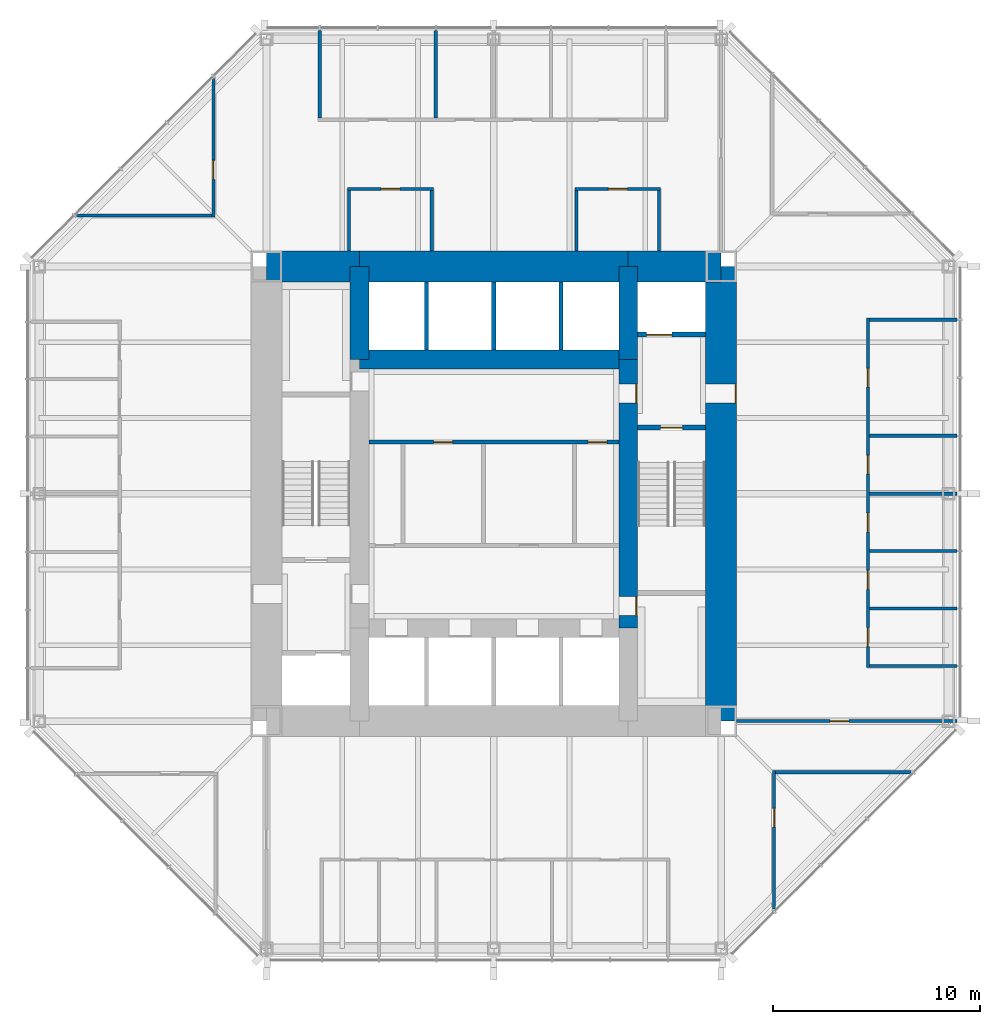
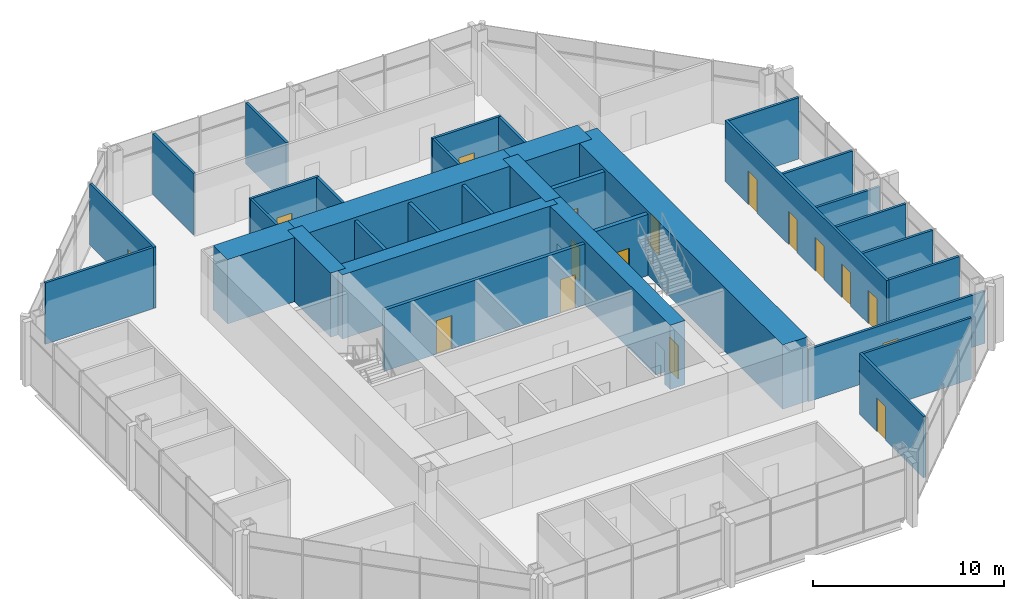
# One storey, part 10 of 12: 34 walls, 17 doors, 17 openings.
"""IFC4 building model written with IfcOpenShell, lengths in metres."""

from ifc_helpers import new_model, si_unit, direction, frame, frame_2d, origin, place, context, subcontext, project, spatial, rectangle, extrude, material, layer, layer_set, type_object, element, fill, save


model = new_model("IFC4")

# Units and contexts
model_context = context("Model", 3, precision=1e-05, world=origin(), true_north=direction((0.0, 1.0)))
body_context = subcontext(model_context, "Body", "Model", "MODEL_VIEW")
ifc_project = project(units=[si_unit("LENGTHUNIT", "METRE"), si_unit("AREAUNIT", "SQUARE_METRE"), si_unit("VOLUMEUNIT", "CUBIC_METRE"), si_unit("PLANEANGLEUNIT", "RADIAN"), si_unit("MASSUNIT", "GRAM", prefix="KILO")], contexts=[model_context])

# Site, building, storey
site_placement = place(None, origin())
site = spatial("IfcSite", under=ifc_project, at=site_placement, CompositionType="ELEMENT")
building_placement = place(site_placement, origin())
building = spatial("IfcBuilding", under=site, at=building_placement, Name="Trevanion Tower", CompositionType="ELEMENT")
storey_placement = place(building_placement, frame((0.0, 0.0, 166.39990234375)))
storey = spatial("IfcBuildingStorey", under=building, at=storey_placement, Name="L39", CompositionType="ELEMENT", Elevation=166.39990234375)

# Wall, opening, door
ifc_material_1 = material(Name="Concrete 10,000 psi", Category="concrete")
ifc_layer_1 = layer(ifc_material_1, 1.5)
ifc_layer_set_1 = layer_set([ifc_layer_1], Name="CW1 core wall 1500")
wall_type_1 = type_object("IfcWallType", Name="CW1 core wall 1500", PredefinedType="SHEAR", material=ifc_layer_set_1)
wall_1_placement = place(storey_placement, frame((11.0, -11.0, 0.0), z_axis=(0.0, 0.0, 1.0), x_axis=(0.0, 1.0, 0.0)))
wall_1 = element("IfcWall", 1, at=wall_1_placement, inside=storey, type_object=wall_type_1, Name="CW1 CE L39", PredefinedType="SHEAR", context=body_context, shape_type="SweptSolid", body=[
    extrude(rectangle(XDim=22.0, YDim=1.5, at=frame_2d((11.0, 0.0))), origin(), (0.0, 0.0, 1.0), 4.10009765625),
])
opening_1_placement = place(wall_1_placement, frame((15.392578125, 0.0, 0.0)))
opening_1 = element("IfcOpeningElement", 2, at=opening_1_placement, cuts=wall_1, Name="Opening 39-001", PredefinedType="OPENING", context=body_context, shape_type="SweptSolid", body=[
    extrude(rectangle(XDim=0.9150390625, YDim=2.134033203125, at=frame_2d((0.45751953125, 1.06689453125))), frame((0.0, 0.760009765625, 0.0), z_axis=(0.0, -1.0, 0.0), x_axis=(1.0, 0.0, 0.0)), (0.0, 0.0, 1.0), 1.52001953125),
])
ifc_material_2 = material(Name="Hollow metal, fire rated", Category="steel")
door_type_1 = type_object("IfcDoorType", Name="D3 fire lift lobby door", OperationType="SINGLE_SWING_RIGHT", PredefinedType="DOOR", material=ifc_material_2)
door_1_placement = place(opening_1_placement, origin())
door_1 = element("IfcDoor", 3, at=door_1_placement, inside=storey, type_object=door_type_1, Name="Door 39-001", OperationType="SINGLE_SWING_RIGHT", OverallHeight=2.134033203125, OverallWidth=0.9150390625, PredefinedType="DOOR", context=body_context, shape_type="SweptSolid", body=[
    extrude(rectangle(XDim=0.9150390625, YDim=2.134033203125, at=frame_2d((0.45751953125, 1.06689453125))), frame((0.0, -0.6748046875, 0.0), z_axis=(0.0, -1.0, 0.0), x_axis=(1.0, 0.0, 0.0)), (0.0, 0.0, 1.0), 0.050048828125),
])
fill(opening_1, door_1)

# Walls
wall_2_placement = place(storey_placement, frame((11.0, 11.0, 0.0), z_axis=(0.0, 0.0, 1.0), x_axis=(-1.0, 0.0, 0.0)))
element("IfcWall", 4, at=wall_2_placement, inside=storey, type_object=wall_type_1, Name="CW1 CN1 L39", PredefinedType="SHEAR", context=body_context, shape_type="SweptSolid", body=[
    extrude(rectangle(XDim=4.5, YDim=1.5, at=frame_2d((2.25, 0.0))), origin(), (0.0, 0.0, 1.0), 4.10009765625),
])
wall_3_placement = place(storey_placement, frame((6.5, 11.0, 0.0), z_axis=(0.0, 0.0, 1.0), x_axis=(-1.0, 0.0, 0.0)))
element("IfcWall", 5, at=wall_3_placement, inside=storey, type_object=wall_type_1, Name="CW1 CN2 L39", PredefinedType="SHEAR", context=body_context, shape_type="SweptSolid", body=[
    extrude(rectangle(XDim=13.0, YDim=1.5, at=frame_2d((6.5, 0.0))), origin(), (0.0, 0.0, 1.0), 4.10009765625),
])
wall_4_placement = place(storey_placement, frame((-6.5, 11.0, 0.0), z_axis=(0.0, 0.0, 1.0), x_axis=(-1.0, 0.0, 0.0)))
element("IfcWall", 6, at=wall_4_placement, inside=storey, type_object=wall_type_1, Name="CW1 CN3 L39", PredefinedType="SHEAR", context=body_context, shape_type="SweptSolid", body=[
    extrude(rectangle(XDim=4.5, YDim=1.5, at=frame_2d((2.25, 0.0))), origin(), (0.0, 0.0, 1.0), 4.10009765625),
])

# Wall, openings, doors
ifc_material_3 = material(Name="Concrete 10,000 psi", Category="concrete")
ifc_layer_2 = layer(ifc_material_3, 0.89990234375)
ifc_layer_set_2 = layer_set([ifc_layer_2], Name="CW2 core wall 900")
wall_type_2 = type_object("IfcWallType", Name="CW2 core wall 900", PredefinedType="SHEAR", material=ifc_layer_set_2)
wall_5_placement = place(storey_placement, frame((6.5, -6.5, 0.0), z_axis=(0.0, 0.0, 1.0), x_axis=(0.0, 1.0, 0.0)))
wall_5 = element("IfcWall", 7, at=wall_5_placement, inside=storey, type_object=wall_type_2, Name="CW2 RE2 L39", PredefinedType="SHEAR", context=body_context, shape_type="SweptSolid", body=[
    extrude(rectangle(XDim=13.0, YDim=0.89990234375, at=frame_2d((6.5, 0.0))), origin(), (0.0, 0.0, 1.0), 4.10009765625),
])
opening_2_placement = place(wall_5_placement, frame((10.892578125, 0.0, 0.0)))
opening_2 = element("IfcOpeningElement", 8, at=opening_2_placement, cuts=wall_5, Name="Opening 39-003", PredefinedType="OPENING", context=body_context, shape_type="SweptSolid", body=[
    extrude(rectangle(XDim=0.9150390625, YDim=2.134033203125, at=frame_2d((0.45751953125, 1.06689453125))), frame((0.0, 0.4599609375, 0.0), z_axis=(0.0, -1.0, 0.0), x_axis=(1.0, 0.0, 0.0)), (0.0, 0.0, 1.0), 0.919921875),
])
opening_3_placement = place(wall_5_placement, frame((0.610107421875, 0.0, 0.0)))
opening_3 = element("IfcOpeningElement", 9, at=opening_3_placement, cuts=wall_5, Name="Opening 39-009", PredefinedType="OPENING", context=body_context, shape_type="SweptSolid", body=[
    extrude(rectangle(XDim=0.9150390625, YDim=2.134033203125, at=frame_2d((0.45751953125, 1.06689453125))), frame((0.0, 0.4599609375, 0.0), z_axis=(0.0, -1.0, 0.0), x_axis=(1.0, 0.0, 0.0)), (0.0, 0.0, 1.0), 0.919921875),
])
door_2_placement = place(opening_2_placement, origin())
door_2 = element("IfcDoor", 10, at=door_2_placement, inside=storey, type_object=door_type_1, Name="Door 39-003", OperationType="SINGLE_SWING_RIGHT", OverallHeight=2.134033203125, OverallWidth=0.9150390625, PredefinedType="DOOR", context=body_context, shape_type="SweptSolid", body=[
    extrude(rectangle(XDim=0.9150390625, YDim=2.134033203125, at=frame_2d((0.45751953125, 1.06689453125))), frame((0.0, -0.375, 0.0), z_axis=(0.0, -1.0, 0.0), x_axis=(1.0, 0.0, 0.0)), (0.0, 0.0, 1.0), 0.050048828125),
])
fill(opening_2, door_2)
ifc_material_4 = material(Name="Hollow metal, fire rated", Category="steel")
door_type_2 = type_object("IfcDoorType", Name="D5 service room door", OperationType="SINGLE_SWING_RIGHT", PredefinedType="DOOR", material=ifc_material_4)
door_3_placement = place(opening_3_placement, origin())
door_3 = element("IfcDoor", 11, at=door_3_placement, inside=storey, type_object=door_type_2, Name="Door 39-009", OperationType="SINGLE_SWING_RIGHT", OverallHeight=2.134033203125, OverallWidth=0.9150390625, PredefinedType="DOOR", context=body_context, shape_type="SweptSolid", body=[
    extrude(rectangle(XDim=0.9150390625, YDim=2.134033203125, at=frame_2d((0.45751953125, 1.06689453125))), frame((0.0, -0.375, 0.0), z_axis=(0.0, -1.0, 0.0), x_axis=(1.0, 0.0, 0.0)), (0.0, 0.0, 1.0), 0.050048828125),
])
fill(opening_3, door_3)

# Walls
for number, where, z_axis, x_axis, name in (
    (12, (6.5, 6.5, 0.0), (0.0, 0.0, 1.0), (0.0, 1.0, 0.0), "CW2 RE3 L39"),
    (13, (-6.5, 11.0, 0.0), (0.0, 0.0, 1.0), (0.0, -1.0, 0.0), "CW2 RW1 L39"),
):
    element("IfcWall", number, at=place(storey_placement, frame(where, z_axis=z_axis, x_axis=x_axis)), inside=storey, type_object=wall_type_2, Name=name, PredefinedType="SHEAR", context=body_context, shape_type="SweptSolid", body=[
        extrude(rectangle(XDim=4.5, YDim=0.89990234375, at=frame_2d((2.25, 0.0))), origin(), (0.0, 0.0, 1.0), 4.10009765625),
    ])
wall_6_placement = place(storey_placement, frame((6.5, 6.5, 0.0), z_axis=(0.0, 0.0, 1.0), x_axis=(-1.0, 0.0, 0.0)))
element("IfcWall", 14, at=wall_6_placement, inside=storey, type_object=wall_type_2, Name="CW2 RN L39", PredefinedType="SHEAR", context=body_context, shape_type="SweptSolid", body=[
    extrude(rectangle(XDim=13.0, YDim=0.89990234375, at=frame_2d((6.5, 0.0))), origin(), (0.0, 0.0, 1.0), 4.10009765625),
])

# Wall, opening, door
ifc_material_5 = material(Name="Gypsum board on steel studs", Category="steel")
ifc_layer_3 = layer(ifc_material_5, 0.14990234375)
ifc_layer_set_3 = layer_set([ifc_layer_3], Name="PT1 partition 150")
wall_type_3 = type_object("IfcWallType", Name="PT1 partition 150", PredefinedType="PARTITIONING", material=ifc_layer_set_3)
wall_7_placement = place(storey_placement, frame((11.75, -11.0, 0.0), z_axis=(0.0, 0.0, 1.0), x_axis=(1.0, 0.0, 0.0)))
wall_7 = element("IfcWall", 15, at=wall_7_placement, inside=storey, type_object=wall_type_3, Name="PT1 L39 ZW3", PredefinedType="PARTITIONING", context=body_context, shape_type="SweptSolid", body=[
    extrude(rectangle(XDim=10.6650390625, YDim=0.14990234375, at=frame_2d((5.33251953125, 0.0))), origin(), (0.0, 0.0, 1.0), 3.325927734375),
])
opening_4_placement = place(wall_7_placement, frame((4.517578125, 0.0, 0.0)))
opening_4 = element("IfcOpeningElement", 16, at=opening_4_placement, cuts=wall_7, Name="Opening 39-021", PredefinedType="OPENING", context=body_context, shape_type="SweptSolid", body=[
    extrude(rectangle(XDim=0.9150390625, YDim=2.134033203125, at=frame_2d((0.45751953125, 1.06689453125))), frame((0.0, 0.0849609375, 0.0), z_axis=(0.0, -1.0, 0.0), x_axis=(1.0, 0.0, 0.0)), (0.0, 0.0, 1.0), 0.169921875),
])
ifc_material_6 = material(Name="Timber veneer, solid core", Category="wood")
door_type_3 = type_object("IfcDoorType", Name="D1 office and meeting room door", OperationType="SINGLE_SWING_LEFT", PredefinedType="DOOR", material=ifc_material_6)
door_4_placement = place(opening_4_placement, origin())
door_4 = element("IfcDoor", 17, at=door_4_placement, inside=storey, type_object=door_type_3, Name="Door 39-021", OperationType="SINGLE_SWING_LEFT", OverallHeight=2.134033203125, OverallWidth=0.9150390625, PredefinedType="DOOR", context=body_context, shape_type="SweptSolid", body=[
    extrude(rectangle(XDim=0.9150390625, YDim=2.134033203125, at=frame_2d((0.45751953125, 1.06689453125))), frame((0.0, 0.02490234375, 0.0), z_axis=(0.0, -1.0, 0.0), x_axis=(1.0, 0.0, 0.0)), (0.0, 0.0, 1.0), 0.050048828125),
])
fill(opening_4, door_4)

wall_8_placement = place(storey_placement, frame((-13.56591796875, 13.39892578125, 0.0), z_axis=(0.0, 0.0, 1.0), x_axis=(0.0, 1.0, 0.0)))
wall_8 = element("IfcWall", 18, at=wall_8_placement, inside=storey, type_object=wall_type_3, Name="PT1 L39 KW1a", PredefinedType="PARTITIONING", context=body_context, shape_type="SweptSolid", body=[
    extrude(rectangle(XDim=6.697998046875, YDim=0.14990234375, at=frame_2d((3.34912109375, 0.0))), origin(), (0.0, 0.0, 1.0), 3.91015625),
])
opening_5_placement = place(wall_8_placement, frame((1.8173828125, 0.0, 0.0)))
opening_5 = element("IfcOpeningElement", 19, at=opening_5_placement, cuts=wall_8, Name="Opening 39-023", PredefinedType="OPENING", context=body_context, shape_type="SweptSolid", body=[
    extrude(rectangle(XDim=0.9150390625, YDim=2.134033203125, at=frame_2d((0.45751953125, 1.06689453125))), frame((0.0, 0.0849609375, 0.0), z_axis=(0.0, -1.0, 0.0), x_axis=(1.0, 0.0, 0.0)), (0.0, 0.0, 1.0), 0.169921875),
])
door_5_placement = place(opening_5_placement, origin())
door_5 = element("IfcDoor", 20, at=door_5_placement, inside=storey, type_object=door_type_3, Name="Door 39-023", OperationType="SINGLE_SWING_LEFT", OverallHeight=2.134033203125, OverallWidth=0.9150390625, PredefinedType="DOOR", context=body_context, shape_type="SweptSolid", body=[
    extrude(rectangle(XDim=0.9150390625, YDim=2.134033203125, at=frame_2d((0.45751953125, 1.06689453125))), frame((0.0, 0.02490234375, 0.0), z_axis=(0.0, -1.0, 0.0), x_axis=(1.0, 0.0, 0.0)), (0.0, 0.0, 1.0), 0.050048828125),
])
fill(opening_5, door_5)

# Wall
wall_9_placement = place(storey_placement, frame((-13.64111328125, 13.47412109375, 0.0), z_axis=(0.0, 0.0, 1.0), x_axis=(-1.0, 0.0, 0.0)))
element("IfcWall", 21, at=wall_9_placement, inside=storey, type_object=wall_type_3, Name="PT1 L39 KW1b", PredefinedType="PARTITIONING", context=body_context, shape_type="SweptSolid", body=[
    extrude(rectangle(XDim=6.5478515625, YDim=0.14990234375, at=frame_2d((3.27392578125, 0.0))), origin(), (0.0, 0.0, 1.0), 3.91015625),
])

# Wall, opening, door
wall_10_placement = place(storey_placement, frame((13.56591796875, -13.39892578125, 0.0), z_axis=(0.0, 0.0, 1.0), x_axis=(0.0, -1.0, 0.0)))
wall_10 = element("IfcWall", 22, at=wall_10_placement, inside=storey, type_object=wall_type_3, Name="PT1 L39 KW3a", PredefinedType="PARTITIONING", context=body_context, shape_type="SweptSolid", body=[
    extrude(rectangle(XDim=6.697998046875, YDim=0.14990234375, at=frame_2d((3.34912109375, 0.0))), origin(), (0.0, 0.0, 1.0), 3.91015625),
])
opening_6_placement = place(wall_10_placement, frame((1.8173828125, 0.0, 0.0)))
opening_6 = element("IfcOpeningElement", 23, at=opening_6_placement, cuts=wall_10, Name="Opening 39-025", PredefinedType="OPENING", context=body_context, shape_type="SweptSolid", body=[
    extrude(rectangle(XDim=0.9150390625, YDim=2.134033203125, at=frame_2d((0.45751953125, 1.06689453125))), frame((0.0, 0.0849609375, 0.0), z_axis=(0.0, -1.0, 0.0), x_axis=(1.0, 0.0, 0.0)), (0.0, 0.0, 1.0), 0.169921875),
])
door_6_placement = place(opening_6_placement, origin())
door_6 = element("IfcDoor", 24, at=door_6_placement, inside=storey, type_object=door_type_3, Name="Door 39-025", OperationType="SINGLE_SWING_LEFT", OverallHeight=2.134033203125, OverallWidth=0.9150390625, PredefinedType="DOOR", context=body_context, shape_type="SweptSolid", body=[
    extrude(rectangle(XDim=0.9150390625, YDim=2.134033203125, at=frame_2d((0.45751953125, 1.06689453125))), frame((0.0, 0.02490234375, 0.0), z_axis=(0.0, -1.0, 0.0), x_axis=(1.0, 0.0, 0.0)), (0.0, 0.0, 1.0), 0.050048828125),
])
fill(opening_6, door_6)

# Wall
wall_11_placement = place(storey_placement, frame((13.64111328125, -13.47412109375, 0.0), z_axis=(0.0, 0.0, 1.0), x_axis=(1.0, 0.0, 0.0)))
element("IfcWall", 25, at=wall_11_placement, inside=storey, type_object=wall_type_3, Name="PT1 L39 KW3b", PredefinedType="PARTITIONING", context=body_context, shape_type="SweptSolid", body=[
    extrude(rectangle(XDim=6.5478515625, YDim=0.14990234375, at=frame_2d((3.27392578125, 0.0))), origin(), (0.0, 0.0, 1.0), 3.91015625),
])

# Wall, openings, doors
wall_12_placement = place(storey_placement, frame((18.10009765625, -8.39794921875, 0.0), z_axis=(0.0, 0.0, 1.0), x_axis=(0.0, 1.0, 0.0)))
wall_12 = element("IfcWall", 26, at=wall_12_placement, inside=storey, type_object=wall_type_3, Name="PT1 L39 FC0F", PredefinedType="PARTITIONING", context=body_context, shape_type="SweptSolid", body=[
    extrude(rectangle(XDim=16.89404296875, YDim=0.14990234375, at=frame_2d((8.447021484375, 0.0))), origin(), (0.0, 0.0, 1.0), 3.91015625),
])
opening_7_placement = place(wall_12_placement, frame((1.00439453125, 0.0, 0.0)))
opening_7 = element("IfcOpeningElement", 27, at=opening_7_placement, cuts=wall_12, Name="Opening 39-026", PredefinedType="OPENING", context=body_context, shape_type="SweptSolid", body=[
    extrude(rectangle(XDim=0.9150390625, YDim=2.134033203125, at=frame_2d((0.45751953125, 1.06689453125))), frame((0.0, 0.0849609375, 0.0), z_axis=(0.0, -1.0, 0.0), x_axis=(1.0, 0.0, 0.0)), (0.0, 0.0, 1.0), 0.169921875),
])
opening_8_placement = place(wall_12_placement, frame((3.778564453125, 0.0, 0.0)))
opening_8 = element("IfcOpeningElement", 28, at=opening_8_placement, cuts=wall_12, Name="Opening 39-027", PredefinedType="OPENING", context=body_context, shape_type="SweptSolid", body=[
    extrude(rectangle(XDim=0.9150390625, YDim=2.134033203125, at=frame_2d((0.45751953125, 1.06689453125))), frame((0.0, 0.0849609375, 0.0), z_axis=(0.0, -1.0, 0.0), x_axis=(1.0, 0.0, 0.0)), (0.0, 0.0, 1.0), 0.169921875),
])
opening_9_placement = place(wall_12_placement, frame((6.552978515625, 0.0, 0.0)))
opening_9 = element("IfcOpeningElement", 29, at=opening_9_placement, cuts=wall_12, Name="Opening 39-028", PredefinedType="OPENING", context=body_context, shape_type="SweptSolid", body=[
    extrude(rectangle(XDim=0.9150390625, YDim=2.134033203125, at=frame_2d((0.45751953125, 1.06689453125))), frame((0.0, 0.0849609375, 0.0), z_axis=(0.0, -1.0, 0.0), x_axis=(1.0, 0.0, 0.0)), (0.0, 0.0, 1.0), 0.169921875),
])
opening_10_placement = place(wall_12_placement, frame((9.343994140625, 0.0, 0.0)))
opening_10 = element("IfcOpeningElement", 30, at=opening_10_placement, cuts=wall_12, Name="Opening 39-029", PredefinedType="OPENING", context=body_context, shape_type="SweptSolid", body=[
    extrude(rectangle(XDim=0.9150390625, YDim=2.134033203125, at=frame_2d((0.45751953125, 1.06689453125))), frame((0.0, 0.0849609375, 0.0), z_axis=(0.0, -1.0, 0.0), x_axis=(1.0, 0.0, 0.0)), (0.0, 0.0, 1.0), 0.169921875),
])
opening_11_placement = place(wall_12_placement, frame((13.554443359375, 0.0, 0.0)))
opening_11 = element("IfcOpeningElement", 31, at=opening_11_placement, cuts=wall_12, Name="Opening 39-030", PredefinedType="OPENING", context=body_context, shape_type="SweptSolid", body=[
    extrude(rectangle(XDim=0.9150390625, YDim=2.134033203125, at=frame_2d((0.45751953125, 1.06689453125))), frame((0.0, 0.0849609375, 0.0), z_axis=(0.0, -1.0, 0.0), x_axis=(1.0, 0.0, 0.0)), (0.0, 0.0, 1.0), 0.169921875),
])
door_7_placement = place(opening_7_placement, origin())
door_7 = element("IfcDoor", 32, at=door_7_placement, inside=storey, type_object=door_type_3, Name="Door 39-026", OperationType="SINGLE_SWING_LEFT", OverallHeight=2.134033203125, OverallWidth=0.9150390625, PredefinedType="DOOR", context=body_context, shape_type="SweptSolid", body=[
    extrude(rectangle(XDim=0.9150390625, YDim=2.134033203125, at=frame_2d((0.45751953125, 1.06689453125))), frame((0.0, 0.02490234375, 0.0), z_axis=(0.0, -1.0, 0.0), x_axis=(1.0, 0.0, 0.0)), (0.0, 0.0, 1.0), 0.050048828125),
])
fill(opening_7, door_7)
door_8_placement = place(opening_8_placement, origin())
door_8 = element("IfcDoor", 33, at=door_8_placement, inside=storey, type_object=door_type_3, Name="Door 39-027", OperationType="SINGLE_SWING_LEFT", OverallHeight=2.134033203125, OverallWidth=0.9150390625, PredefinedType="DOOR", context=body_context, shape_type="SweptSolid", body=[
    extrude(rectangle(XDim=0.9150390625, YDim=2.134033203125, at=frame_2d((0.45751953125, 1.06689453125))), frame((0.0, 0.02490234375, 0.0), z_axis=(0.0, -1.0, 0.0), x_axis=(1.0, 0.0, 0.0)), (0.0, 0.0, 1.0), 0.050048828125),
])
fill(opening_8, door_8)
door_9_placement = place(opening_9_placement, origin())
door_9 = element("IfcDoor", 34, at=door_9_placement, inside=storey, type_object=door_type_3, Name="Door 39-028", OperationType="SINGLE_SWING_LEFT", OverallHeight=2.134033203125, OverallWidth=0.9150390625, PredefinedType="DOOR", context=body_context, shape_type="SweptSolid", body=[
    extrude(rectangle(XDim=0.9150390625, YDim=2.134033203125, at=frame_2d((0.45751953125, 1.06689453125))), frame((0.0, 0.02490234375, 0.0), z_axis=(0.0, -1.0, 0.0), x_axis=(1.0, 0.0, 0.0)), (0.0, 0.0, 1.0), 0.050048828125),
])
fill(opening_9, door_9)
door_10_placement = place(opening_10_placement, origin())
door_10 = element("IfcDoor", 35, at=door_10_placement, inside=storey, type_object=door_type_3, Name="Door 39-029", OperationType="SINGLE_SWING_LEFT", OverallHeight=2.134033203125, OverallWidth=0.9150390625, PredefinedType="DOOR", context=body_context, shape_type="SweptSolid", body=[
    extrude(rectangle(XDim=0.9150390625, YDim=2.134033203125, at=frame_2d((0.45751953125, 1.06689453125))), frame((0.0, 0.02490234375, 0.0), z_axis=(0.0, -1.0, 0.0), x_axis=(1.0, 0.0, 0.0)), (0.0, 0.0, 1.0), 0.050048828125),
])
fill(opening_10, door_10)
door_11_placement = place(opening_11_placement, origin())
door_11 = element("IfcDoor", 36, at=door_11_placement, inside=storey, type_object=door_type_3, Name="Door 39-030", OperationType="SINGLE_SWING_LEFT", OverallHeight=2.134033203125, OverallWidth=0.9150390625, PredefinedType="DOOR", context=body_context, shape_type="SweptSolid", body=[
    extrude(rectangle(XDim=0.9150390625, YDim=2.134033203125, at=frame_2d((0.45751953125, 1.06689453125))), frame((0.0, 0.02490234375, 0.0), z_axis=(0.0, -1.0, 0.0), x_axis=(1.0, 0.0, 0.0)), (0.0, 0.0, 1.0), 0.050048828125),
])
fill(opening_11, door_11)

# Walls
for number, where, z_axis, x_axis, name in (
    (37, (18.175048828125, -8.322998046875, 0.0), (0.0, 0.0, 1.0), (1.0, 0.0, 0.0), "PT1 L39 FC0S0"),
    (38, (18.175048828125, -5.549072265625, 0.0), (0.0, 0.0, 1.0), (1.0, 0.0, 0.0), "PT1 L39 FC0S1"),
    (39, (18.175048828125, -2.77490234375, 0.0), (0.0, 0.0, 1.0), (1.0, 0.0, 0.0), "PT1 L39 FC0S2"),
):
    element("IfcWall", number, at=place(storey_placement, frame(where, z_axis=z_axis, x_axis=x_axis)), inside=storey, type_object=wall_type_3, Name=name, PredefinedType="PARTITIONING", context=body_context, shape_type="SweptSolid", body=[
        extrude(rectangle(XDim=4.239990234375, YDim=0.14990234375, at=frame_2d((2.1201171875, 0.0))), origin(), (0.0, 0.0, 1.0), 3.91015625),
    ])
wall_13_placement = place(storey_placement, frame((18.175048828125, 0.0, 0.0), z_axis=(0.0, 0.0, 1.0), x_axis=(1.0, 0.0, 0.0)))
element("IfcWall", 40, at=wall_13_placement, inside=storey, type_object=wall_type_3, Name="PT1 L39 FC0S3", PredefinedType="PARTITIONING", context=body_context, shape_type="SweptSolid", body=[
    extrude(rectangle(XDim=4.239990234375, YDim=0.14990234375, at=frame_2d((2.1201171875, 0.0))), origin(), (0.0, 0.0, 1.0), 3.325927734375),
])
for number, where, z_axis, x_axis, name in (
    (41, (18.175048828125, 2.806884765625, 0.0), (0.0, 0.0, 1.0), (1.0, 0.0, 0.0), "PT1 L39 FC0S4"),
    (42, (18.175048828125, 8.4208984375, 0.0), (0.0, 0.0, 1.0), (1.0, 0.0, 0.0), "PT1 L39 FC0S6"),
    (43, (-2.806884765625, 18.175048828125, 0.0), (0.0, 0.0, 1.0), (0.0, 1.0, 0.0), "PT1 L39 FC1S4"),
    (44, (-8.4208984375, 18.175048828125, 0.0), (0.0, 0.0, 1.0), (0.0, 1.0, 0.0), "PT1 L39 FC1S6"),
):
    element("IfcWall", number, at=place(storey_placement, frame(where, z_axis=z_axis, x_axis=x_axis)), inside=storey, type_object=wall_type_3, Name=name, PredefinedType="PARTITIONING", context=body_context, shape_type="SweptSolid", body=[
        extrude(rectangle(XDim=4.239990234375, YDim=0.14990234375, at=frame_2d((2.1201171875, 0.0))), origin(), (0.0, 0.0, 1.0), 3.91015625),
    ])

# Wall, opening, door
wall_14_placement = place(storey_placement, frame((8.074951171875, 14.75, 0.0), z_axis=(0.0, 0.0, 1.0), x_axis=(-1.0, 0.0, 0.0)))
wall_14 = element("IfcWall", 45, at=wall_14_placement, inside=storey, type_object=wall_type_3, Name="PT1 L39 IN10F", PredefinedType="PARTITIONING", context=body_context, shape_type="SweptSolid", body=[
    extrude(rectangle(XDim=4.14990234375, YDim=0.14990234375, at=frame_2d((2.074951171875, 0.0))), origin(), (0.0, 0.0, 1.0), 3.91015625),
])
opening_12_placement = place(wall_14_placement, frame((1.617431640625, 0.0, 0.0)))
opening_12 = element("IfcOpeningElement", 46, at=opening_12_placement, cuts=wall_14, Name="Opening 39-044", PredefinedType="OPENING", context=body_context, shape_type="SweptSolid", body=[
    extrude(rectangle(XDim=0.9150390625, YDim=2.134033203125, at=frame_2d((0.45751953125, 1.06689453125))), frame((0.0, 0.0849609375, 0.0), z_axis=(0.0, -1.0, 0.0), x_axis=(1.0, 0.0, 0.0)), (0.0, 0.0, 1.0), 0.169921875),
])
door_12_placement = place(opening_12_placement, origin())
door_12 = element("IfcDoor", 47, at=door_12_placement, inside=storey, type_object=door_type_3, Name="Door 39-044", OperationType="SINGLE_SWING_LEFT", OverallHeight=2.134033203125, OverallWidth=0.9150390625, PredefinedType="DOOR", context=body_context, shape_type="SweptSolid", body=[
    extrude(rectangle(XDim=0.9150390625, YDim=2.134033203125, at=frame_2d((0.45751953125, 1.06689453125))), frame((0.0, 0.02490234375, 0.0), z_axis=(0.0, -1.0, 0.0), x_axis=(1.0, 0.0, 0.0)), (0.0, 0.0, 1.0), 0.050048828125),
])
fill(opening_12, door_12)

# Walls
for number, where, z_axis, x_axis, name in (
    (48, (8.0, 14.675048828125, 0.0), (0.0, 0.0, 1.0), (0.0, -1.0, 0.0), "PT1 L39 IN10S0"),
    (49, (4.0, 14.675048828125, 0.0), (0.0, 0.0, 1.0), (0.0, -1.0, 0.0), "PT1 L39 IN10S1"),
):
    element("IfcWall", number, at=place(storey_placement, frame(where, z_axis=z_axis, x_axis=x_axis)), inside=storey, type_object=wall_type_3, Name=name, PredefinedType="PARTITIONING", context=body_context, shape_type="SweptSolid", body=[
        extrude(rectangle(XDim=2.925048828125, YDim=0.14990234375, at=frame_2d((1.46240234375, 0.0))), origin(), (0.0, 0.0, 1.0), 3.91015625),
    ])

# Wall, opening, door
wall_15_placement = place(storey_placement, frame((-2.925048828125, 14.75, 0.0), z_axis=(0.0, 0.0, 1.0), x_axis=(-1.0, 0.0, 0.0)))
wall_15 = element("IfcWall", 50, at=wall_15_placement, inside=storey, type_object=wall_type_3, Name="PT1 L39 IN11F", PredefinedType="PARTITIONING", context=body_context, shape_type="SweptSolid", body=[
    extrude(rectangle(XDim=4.14990234375, YDim=0.14990234375, at=frame_2d((2.074951171875, 0.0))), origin(), (0.0, 0.0, 1.0), 3.91015625),
])
opening_13_placement = place(wall_15_placement, frame((1.617431640625, 0.0, 0.0)))
opening_13 = element("IfcOpeningElement", 51, at=opening_13_placement, cuts=wall_15, Name="Opening 39-045", PredefinedType="OPENING", context=body_context, shape_type="SweptSolid", body=[
    extrude(rectangle(XDim=0.9150390625, YDim=2.134033203125, at=frame_2d((0.45751953125, 1.06689453125))), frame((0.0, 0.0849609375, 0.0), z_axis=(0.0, -1.0, 0.0), x_axis=(1.0, 0.0, 0.0)), (0.0, 0.0, 1.0), 0.169921875),
])
door_13_placement = place(opening_13_placement, origin())
door_13 = element("IfcDoor", 52, at=door_13_placement, inside=storey, type_object=door_type_3, Name="Door 39-045", OperationType="SINGLE_SWING_LEFT", OverallHeight=2.134033203125, OverallWidth=0.9150390625, PredefinedType="DOOR", context=body_context, shape_type="SweptSolid", body=[
    extrude(rectangle(XDim=0.9150390625, YDim=2.134033203125, at=frame_2d((0.45751953125, 1.06689453125))), frame((0.0, 0.02490234375, 0.0), z_axis=(0.0, -1.0, 0.0), x_axis=(1.0, 0.0, 0.0)), (0.0, 0.0, 1.0), 0.050048828125),
])
fill(opening_13, door_13)

# Walls
for number, where, z_axis, x_axis, name in (
    (53, (-3.0, 14.675048828125, 0.0), (0.0, 0.0, 1.0), (0.0, -1.0, 0.0), "PT1 L39 IN11S0"),
    (54, (-7.0, 14.675048828125, 0.0), (0.0, 0.0, 1.0), (0.0, -1.0, 0.0), "PT1 L39 IN11S1"),
):
    element("IfcWall", number, at=place(storey_placement, frame(where, z_axis=z_axis, x_axis=x_axis)), inside=storey, type_object=wall_type_3, Name=name, PredefinedType="PARTITIONING", context=body_context, shape_type="SweptSolid", body=[
        extrude(rectangle(XDim=2.925048828125, YDim=0.14990234375, at=frame_2d((1.46240234375, 0.0))), origin(), (0.0, 0.0, 1.0), 3.91015625),
    ])

# Wall, openings, doors
ifc_material_7 = material(Name="Concrete masonry, grouted", Category="masonry")
ifc_layer_4 = layer(ifc_material_7, 0.199951171875)
ifc_layer_set_4 = layer_set([ifc_layer_4], Name="PT2 partition 200 1 HR")
wall_type_4 = type_object("IfcWallType", Name="PT2 partition 200 1 HR", PredefinedType="PARTITIONING", material=ifc_layer_set_4)
wall_16_placement = place(storey_placement, frame((-6.050048828125, 2.5, 0.0), z_axis=(0.0, 0.0, 1.0), x_axis=(1.0, 0.0, 0.0)))
wall_16 = element("IfcWall", 55, at=wall_16_placement, inside=storey, type_object=wall_type_4, Name="PT2 L39 CP1", PredefinedType="PARTITIONING", context=body_context, shape_type="SweptSolid", body=[
    extrude(rectangle(XDim=12.10009765625, YDim=0.199951171875, at=frame_2d((6.050048828125, 0.0))), origin(), (0.0, 0.0, 1.0), 3.91015625),
])
opening_14_placement = place(wall_16_placement, frame((3.142578125, 0.0, 0.0)))
opening_14 = element("IfcOpeningElement", 56, at=opening_14_placement, cuts=wall_16, Name="Opening 39-016", PredefinedType="OPENING", context=body_context, shape_type="SweptSolid", body=[
    extrude(rectangle(XDim=0.9150390625, YDim=2.134033203125, at=frame_2d((0.45751953125, 1.06689453125))), frame((0.0, 0.10986328125, 0.0), z_axis=(0.0, -1.0, 0.0), x_axis=(1.0, 0.0, 0.0)), (0.0, 0.0, 1.0), 0.219970703125),
])
opening_15_placement = place(wall_16_placement, frame((10.617431640625, 0.0, 0.0)))
opening_15 = element("IfcOpeningElement", 57, at=opening_15_placement, cuts=wall_16, Name="Opening 39-018", PredefinedType="OPENING", context=body_context, shape_type="SweptSolid", body=[
    extrude(rectangle(XDim=0.9150390625, YDim=2.134033203125, at=frame_2d((0.45751953125, 1.06689453125))), frame((0.0, 0.10986328125, 0.0), z_axis=(0.0, -1.0, 0.0), x_axis=(1.0, 0.0, 0.0)), (0.0, 0.0, 1.0), 0.219970703125),
])
ifc_material_8 = material(Name="Plastic laminate on fire-rated core", Category="wood")
door_type_4 = type_object("IfcDoorType", Name="D12 toilet door in a one hour wall", OperationType="SINGLE_SWING_LEFT", PredefinedType="DOOR", material=ifc_material_8)
door_14_placement = place(opening_14_placement, origin())
door_14 = element("IfcDoor", 58, at=door_14_placement, inside=storey, type_object=door_type_4, Name="Door 39-016", OperationType="SINGLE_SWING_LEFT", OverallHeight=2.134033203125, OverallWidth=0.9150390625, PredefinedType="DOOR", context=body_context, shape_type="SweptSolid", body=[
    extrude(rectangle(XDim=0.9150390625, YDim=2.134033203125, at=frame_2d((0.45751953125, 1.06689453125))), frame((0.0, 0.02490234375, 0.0), z_axis=(0.0, -1.0, 0.0), x_axis=(1.0, 0.0, 0.0)), (0.0, 0.0, 1.0), 0.050048828125),
])
fill(opening_14, door_14)
door_15_placement = place(opening_15_placement, origin())
door_15 = element("IfcDoor", 59, at=door_15_placement, inside=storey, type_object=door_type_4, Name="Door 39-018", OperationType="SINGLE_SWING_LEFT", OverallHeight=2.134033203125, OverallWidth=0.9150390625, PredefinedType="DOOR", context=body_context, shape_type="SweptSolid", body=[
    extrude(rectangle(XDim=0.9150390625, YDim=2.134033203125, at=frame_2d((0.45751953125, 1.06689453125))), frame((0.0, 0.02490234375, 0.0), z_axis=(0.0, -1.0, 0.0), x_axis=(1.0, 0.0, 0.0)), (0.0, 0.0, 1.0), 0.050048828125),
])
fill(opening_15, door_15)

# Walls
ifc_material_9 = material(Name="Concrete masonry, grouted", Category="masonry")
ifc_layer_5 = layer(ifc_material_9, 0.199951171875)
ifc_layer_set_5 = layer_set([ifc_layer_5], Name="PT2 partition 200 2 HR")
wall_type_5 = type_object("IfcWallType", Name="PT2 partition 200 2 HR", PredefinedType="PARTITIONING", material=ifc_layer_set_5)
for number, where, z_axis, x_axis, name in (
    (60, (-3.25, 6.949951171875, 0.0), (0.0, 0.0, 1.0), (0.0, 1.0, 0.0), "PT2 L39 NS0"),
    (61, (0.0, 6.949951171875, 0.0), (0.0, 0.0, 1.0), (0.0, 1.0, 0.0), "PT2 L39 NS1"),
    (62, (3.25, 6.949951171875, 0.0), (0.0, 0.0, 1.0), (0.0, 1.0, 0.0), "PT2 L39 NS2"),
):
    element("IfcWall", number, at=place(storey_placement, frame(where, z_axis=z_axis, x_axis=x_axis)), inside=storey, type_object=wall_type_5, Name=name, PredefinedType="PARTITIONING", context=body_context, shape_type="SweptSolid", body=[
        extrude(rectangle(XDim=3.300048828125, YDim=0.199951171875, at=frame_2d((1.64990234375, 0.0))), origin(), (0.0, 0.0, 1.0), 3.91015625),
    ])

# Wall, opening, door
ifc_material_10 = material(Name="Concrete masonry, grouted, two-hour", Category="masonry")
ifc_layer_6 = layer(ifc_material_10, 0.25)
ifc_layer_set_6 = layer_set([ifc_layer_6], Name="PT3 partition 250 2 HR")
wall_type_6 = type_object("IfcWallType", Name="PT3 partition 250 2 HR", PredefinedType="PARTITIONING", material=ifc_layer_set_6)
wall_17_placement = place(storey_placement, frame((6.949951171875, 7.699951171875, 0.0), z_axis=(0.0, 0.0, 1.0), x_axis=(1.0, 0.0, 0.0)))
wall_17 = element("IfcWall", 63, at=wall_17_placement, inside=storey, type_object=wall_type_6, Name="PT3 L39 EP3", PredefinedType="PARTITIONING", context=body_context, shape_type="SweptSolid", body=[
    extrude(rectangle(XDim=3.300048828125, YDim=0.25, at=frame_2d((1.64990234375, 0.0))), origin(), (0.0, 0.0, 1.0), 3.91015625),
])
opening_16_placement = place(wall_17_placement, frame((0.449951171875, 0.0, 0.0)))
opening_16 = element("IfcOpeningElement", 64, at=opening_16_placement, cuts=wall_17, Name="Opening 39-007", PredefinedType="OPENING", context=body_context, shape_type="SweptSolid", body=[
    extrude(rectangle(XDim=1.218994140625, YDim=2.134033203125, at=frame_2d((0.609375, 1.06689453125))), frame((0.0, 0.135009765625, 0.0), z_axis=(0.0, -1.0, 0.0), x_axis=(1.0, 0.0, 0.0)), (0.0, 0.0, 1.0), 0.27001953125),
])
ifc_material_11 = material(Name="Stainless steel, fire rated", Category="steel")
door_type_5 = type_object("IfcDoorType", Name="LD2 fire service lift landing door", OperationType="SLIDING_TO_LEFT", PredefinedType="DOOR", material=ifc_material_11)
door_16_placement = place(opening_16_placement, origin())
door_16 = element("IfcDoor", 65, at=door_16_placement, inside=storey, type_object=door_type_5, Name="Door 39-007", OperationType="SLIDING_TO_LEFT", OverallHeight=2.134033203125, OverallWidth=1.218994140625, PredefinedType="DOOR", context=body_context, shape_type="SweptSolid", body=[
    extrude(rectangle(XDim=1.218994140625, YDim=2.134033203125, at=frame_2d((0.609375, 1.06689453125))), frame((0.0, 0.02490234375, 0.0), z_axis=(0.0, -1.0, 0.0), x_axis=(1.0, 0.0, 0.0)), (0.0, 0.0, 1.0), 0.050048828125),
])
fill(opening_16, door_16)

ifc_material_12 = material(Name="Reinforced masonry, fully grouted", Category="masonry")
ifc_layer_7 = layer(ifc_material_12, 0.25)
ifc_layer_set_7 = layer_set([ifc_layer_7], Name="SW1 stair shaft wall 250")
wall_type_7 = type_object("IfcWallType", Name="SW1 stair shaft wall 250", PredefinedType="SOLIDWALL", material=ifc_layer_set_7)
wall_18_placement = place(storey_placement, frame((6.949951171875, 3.199951171875, 0.0), z_axis=(0.0, 0.0, 1.0), x_axis=(1.0, 0.0, 0.0)))
wall_18 = element("IfcWall", 66, at=wall_18_placement, inside=storey, type_object=wall_type_7, Name="SW1 L39 EP2", PredefinedType="SOLIDWALL", context=body_context, shape_type="SweptSolid", body=[
    extrude(rectangle(XDim=3.300048828125, YDim=0.25, at=frame_2d((1.64990234375, 0.0))), origin(), (0.0, 0.0, 1.0), 3.91015625),
])
opening_17_placement = place(wall_18_placement, frame((1.116455078125, 0.0, 0.0)))
opening_17 = element("IfcOpeningElement", 67, at=opening_17_placement, cuts=wall_18, Name="Opening 39-005", PredefinedType="OPENING", context=body_context, shape_type="SweptSolid", body=[
    extrude(rectangle(XDim=1.06689453125, YDim=2.134033203125, at=frame_2d((0.533447265625, 1.06689453125))), frame((0.0, 0.135009765625, 0.0), z_axis=(0.0, -1.0, 0.0), x_axis=(1.0, 0.0, 0.0)), (0.0, 0.0, 1.0), 0.27001953125),
])
ifc_material_13 = material(Name="Hollow metal, fire rated", Category="steel")
door_type_6 = type_object("IfcDoorType", Name="D2 exit stair door", OperationType="SINGLE_SWING_LEFT", PredefinedType="DOOR", material=ifc_material_13)
door_17_placement = place(opening_17_placement, origin())
door_17 = element("IfcDoor", 68, at=door_17_placement, inside=storey, type_object=door_type_6, Name="Door 39-005", OperationType="SINGLE_SWING_LEFT", OverallHeight=2.134033203125, OverallWidth=1.06689453125, PredefinedType="DOOR", context=body_context, shape_type="SweptSolid", body=[
    extrude(rectangle(XDim=1.06689453125, YDim=2.134033203125, at=frame_2d((0.533447265625, 1.06689453125))), frame((0.0, 0.02490234375, 0.0), z_axis=(0.0, -1.0, 0.0), x_axis=(1.0, 0.0, 0.0)), (0.0, 0.0, 1.0), 0.050048828125),
])
fill(opening_17, door_17)

save(model, "model.ifc")
